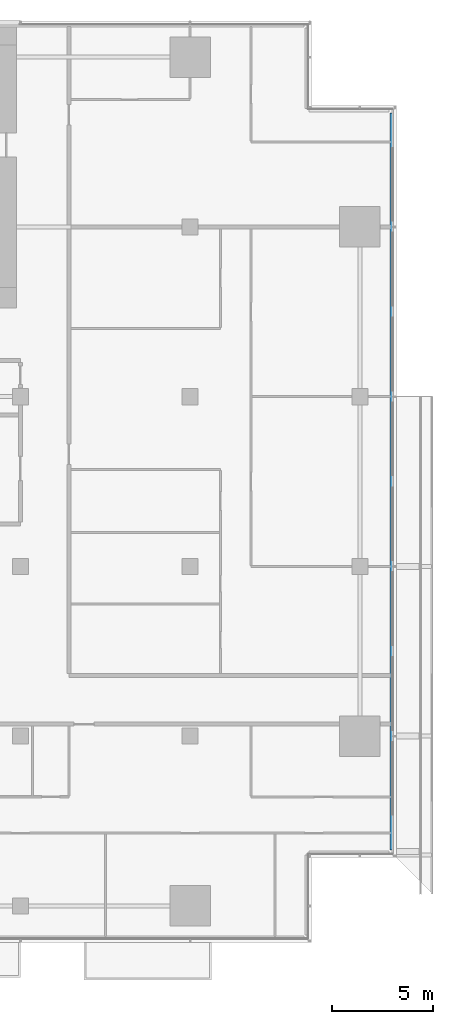
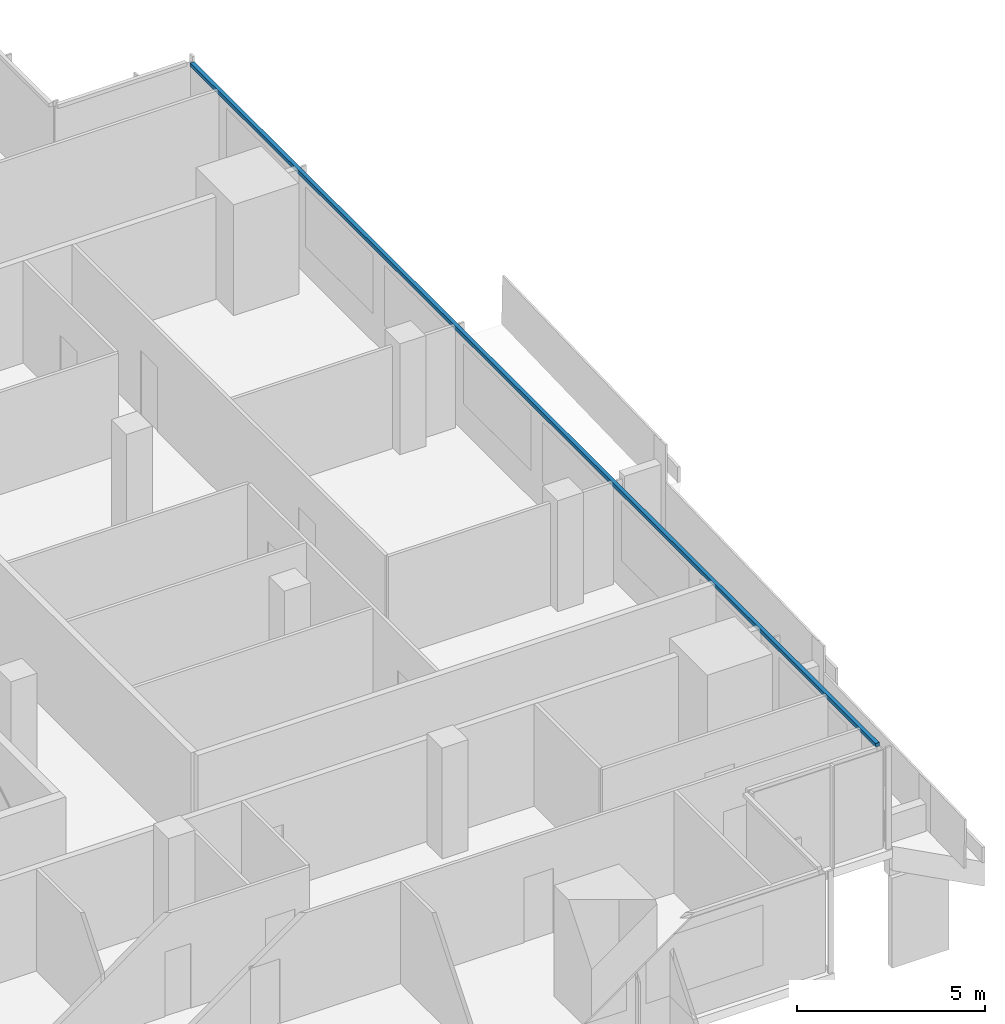
# One storey, part 13 of 27: 1 member, 1 element without a shape of its own.
"""IFC4 building model written with IfcOpenShell, lengths in metres."""

from ifc_helpers import new_model, si_unit, direction, frame, origin, origin_2d, place, context, subcontext, project, spatial, rectangle, extrude, material, material_profile, profile_set, type_object, element, aggregate, save


model = new_model("IFC4")

# Units and contexts
model_context = context("Model", 3, precision=1e-05, world=origin(), true_north=direction((0.0, 1.0)))
body_context = subcontext(model_context, "Body", "Model", "MODEL_VIEW")
ifc_project = project(units=[si_unit("LENGTHUNIT", "METRE"), si_unit("AREAUNIT", "SQUARE_METRE"), si_unit("VOLUMEUNIT", "CUBIC_METRE"), si_unit("PLANEANGLEUNIT", "RADIAN"), si_unit("MASSUNIT", "GRAM", prefix="KILO")], contexts=[model_context])

# Site, building, storey
site_placement = place(None, origin())
site = spatial("IfcSite", under=ifc_project, at=site_placement, CompositionType="ELEMENT")
building_placement = place(site_placement, origin())
building = spatial("IfcBuilding", under=site, at=building_placement, Name="Saffron Gate Tower", CompositionType="ELEMENT")
storey_placement = place(building_placement, frame((0.0, 0.0, 109.64990234375)))
storey = spatial("IfcBuildingStorey", under=building, at=storey_placement, Name="L25", CompositionType="ELEMENT", Elevation=109.64990234375)

# Curtain wall, member
ifc_material = material(Name="Aluminium, bronze anodised", Category="aluminium")
curtain_wall_type = type_object("IfcCurtainWallType", Name="CWS2 curtain wall side facades", PredefinedType="NOTDEFINED", material=ifc_material)
curtain_wall_placement = place(storey_placement, origin())
curtain_wall = element("IfcCurtainWall", 1, at=curtain_wall_placement, inside=storey, type_object=curtain_wall_type, Name="CWS2 run 4", PredefinedType="NOTDEFINED")
ifc_material_profile = material_profile(ifc_material, rectangle(XDim=0.1201171875, YDim=0.1201171875, at=origin_2d()))
ifc_profile_set = profile_set([ifc_material_profile], Name="Aluminium, bronze anodised")
member_type = type_object("IfcMemberType", Name="CWS2 head transom", PredefinedType="USERDEFINED", material=ifc_profile_set)
member_placement = place(storey_placement, frame((126.951904296875, 34.568115234375, 3.260009765625), z_axis=(0.0, 1.0, 0.0), x_axis=(-1.0, 0.0, 0.0)))
member = element("IfcMember", 2, at=member_placement, type_object=member_type, Name="CWS2 head transom", ObjectType="TRANSOM", PredefinedType="USERDEFINED", context=body_context, shape_type="SweptSolid", body=[
    extrude(rectangle(XDim=0.1201171875, YDim=0.1201171875, at=origin_2d()), origin(), (0.0, 0.0, 1.0), 36.4638671875),
])
aggregate(curtain_wall, [member])

save(model, "model.ifc")
